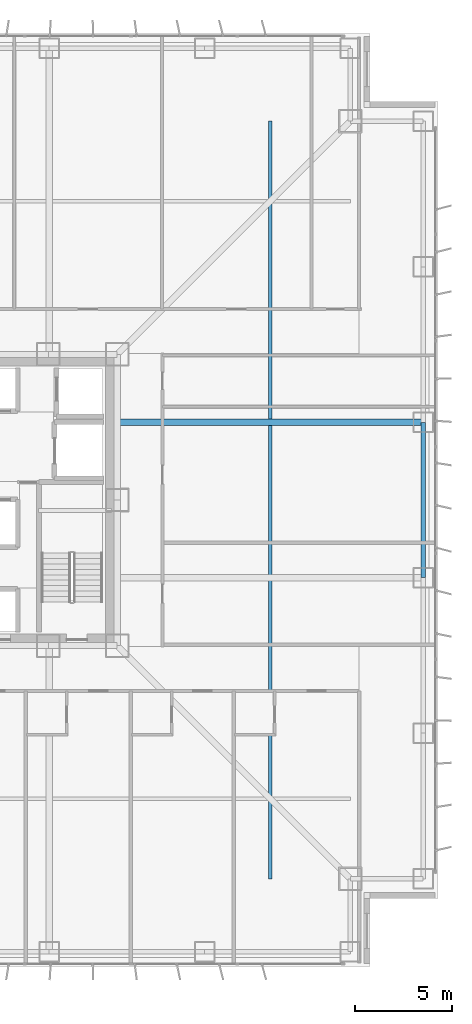
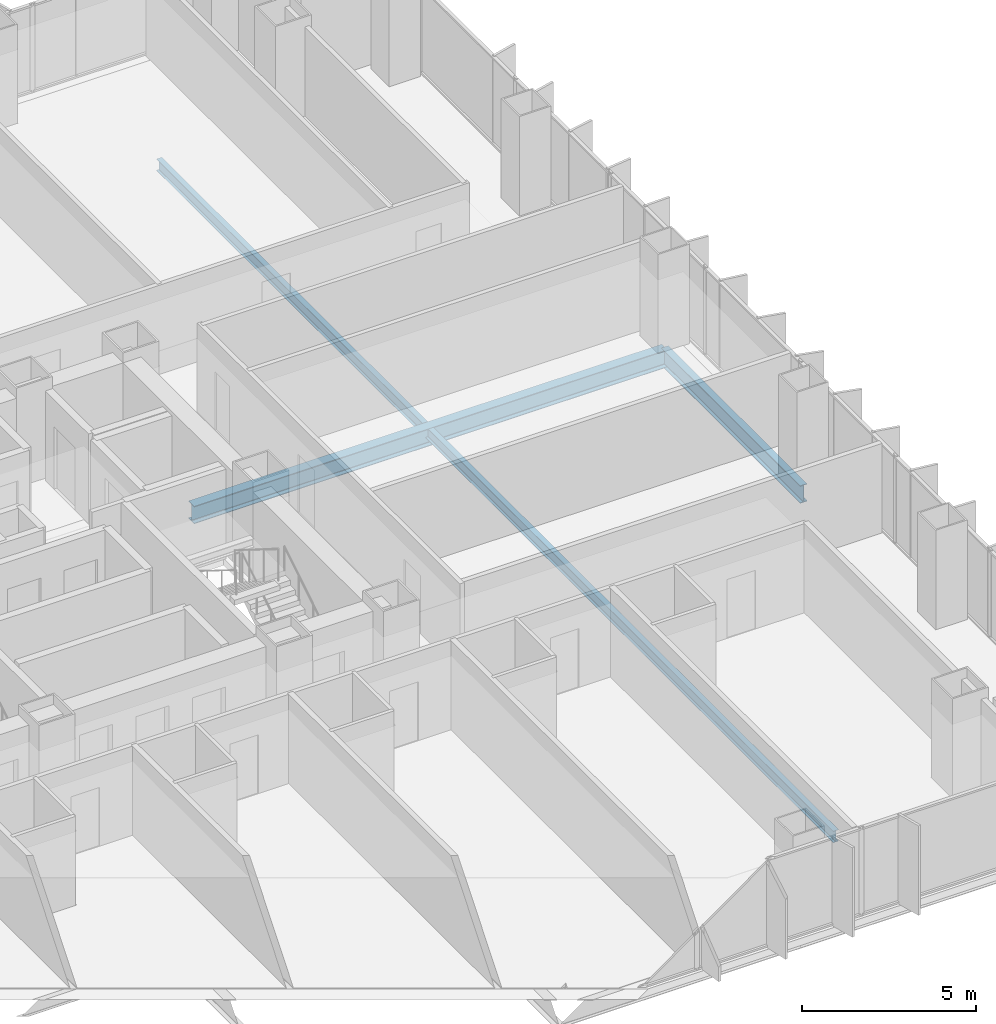
# One storey, part 7 of 19: 3 beams.
"""IFC4 building model written with IfcOpenShell, lengths in metres."""

from ifc_helpers import new_model, si_unit, direction, frame, origin, origin_2d, place, context, subcontext, project, spatial, i_section, extrude, material, material_profile, profile_set, type_object, element, save


model = new_model("IFC4")

# Units and contexts
model_context = context("Model", 3, precision=1e-05, world=origin(), true_north=direction((0.0, 1.0)))
body_context = subcontext(model_context, "Body", "Model", "MODEL_VIEW")
ifc_project = project(units=[si_unit("LENGTHUNIT", "METRE"), si_unit("AREAUNIT", "SQUARE_METRE"), si_unit("VOLUMEUNIT", "CUBIC_METRE"), si_unit("PLANEANGLEUNIT", "RADIAN"), si_unit("MASSUNIT", "GRAM", prefix="KILO")], contexts=[model_context])

# Site, building, storey
site_placement = place(None, origin())
site = spatial("IfcSite", under=ifc_project, at=site_placement, CompositionType="ELEMENT")
building_placement = place(site_placement, origin())
building = spatial("IfcBuilding", under=site, at=building_placement, Name="Trevonay Congress Spire", CompositionType="ELEMENT")
storey_placement = place(building_placement, frame((0.0, 0.0, 79.5)))
storey = spatial("IfcBuildingStorey", under=building, at=storey_placement, Name="L20", CompositionType="ELEMENT", Elevation=79.5)

# Beams
ifc_material = material(Name="Steel ASTM A572 Grade 50", Category="steel")
ifc_material_profile_1 = material_profile(ifc_material, i_section(OverallWidth=0.324951171875, OverallDepth=0.615966796875, WebThickness=0.013916015625, FlangeThickness=0.021484375, FilletRadius=0.01806640625, at=origin_2d()), Name="W610x174")
ifc_profile_set_1 = profile_set([ifc_material_profile_1], Name="Steel ASTM A572 Grade 50")
beam_type_1 = type_object("IfcBeamType", Name="BM-GIRD-W610X174", PredefinedType="BEAM", material=ifc_profile_set_1)
beam_1_placement = place(storey_placement, frame((7.5, 4.0, -0.55810546875), z_axis=(1.0, 0.0, 0.0), x_axis=(0.0, 1.0, 0.0)))
element("IfcBeam", 1, at=beam_1_placement, inside=storey, type_object=beam_type_1, Name="L20 structural beam BM-L20-GE-P", PredefinedType="BEAM", context=body_context, shape_type="SweptSolid", body=[
    extrude(i_section(OverallWidth=0.324951171875, OverallDepth=0.615966796875, WebThickness=0.013916015625, FlangeThickness=0.021484375, FilletRadius=0.01806640625, at=origin_2d()), origin(), (0.0, 0.0, 1.0), 15.75),
])
ifc_material_profile_2 = material_profile(ifc_material, i_section(OverallWidth=0.22998046875, OverallDepth=0.616943359375, WebThickness=0.01318359375, FlangeThickness=0.022216796875, FilletRadius=0.01611328125, at=origin_2d()), Name="W610x140")
ifc_profile_set_2 = profile_set([ifc_material_profile_2], Name="Steel ASTM A572 Grade 50")
beam_type_2 = type_object("IfcBeamType", Name="BM-RING-W610X140", PredefinedType="BEAM", material=ifc_profile_set_2)
beam_2_placement = place(storey_placement, frame((23.25, -4.0, -0.55859375), z_axis=(0.0, 1.0, 0.0), x_axis=(-1.0, 0.0, 0.0)))
element("IfcBeam", 2, at=beam_2_placement, inside=storey, type_object=beam_type_2, Name="L20 structural beam BM-L20-PE3", PredefinedType="BEAM", context=body_context, shape_type="SweptSolid", body=[
    extrude(i_section(OverallWidth=0.22998046875, OverallDepth=0.616943359375, WebThickness=0.01318359375, FlangeThickness=0.022216796875, FilletRadius=0.01611328125, at=origin_2d()), origin(), (0.0, 0.0, 1.0), 8.0),
])
ifc_material_profile_3 = material_profile(ifc_material, i_section(OverallWidth=0.177978515625, OverallDepth=0.406982421875, WebThickness=0.0078125, FlangeThickness=0.0126953125, FilletRadius=0.012939453125, at=origin_2d()), Name="W410x60")
ifc_profile_set_3 = profile_set([ifc_material_profile_3], Name="Steel ASTM A572 Grade 50")
beam_type_3 = type_object("IfcBeamType", Name="JS-COMP-W410X60", PredefinedType="JOIST", material=ifc_profile_set_3)
beam_3_placement = place(storey_placement, frame((15.375, -19.5, -0.45361328125), z_axis=(0.0, 1.0, 0.0), x_axis=(-1.0, 0.0, 0.0)))
element("IfcBeam", 3, at=beam_3_placement, inside=storey, type_object=beam_type_3, Name="L20 structural beam JS-L20-RING-E", PredefinedType="JOIST", context=body_context, shape_type="SweptSolid", body=[
    extrude(i_section(OverallWidth=0.177978515625, OverallDepth=0.406982421875, WebThickness=0.0078125, FlangeThickness=0.0126953125, FilletRadius=0.012939453125, at=origin_2d()), origin(), (0.0, 0.0, 1.0), 39.0),
])

save(model, "model.ifc")
